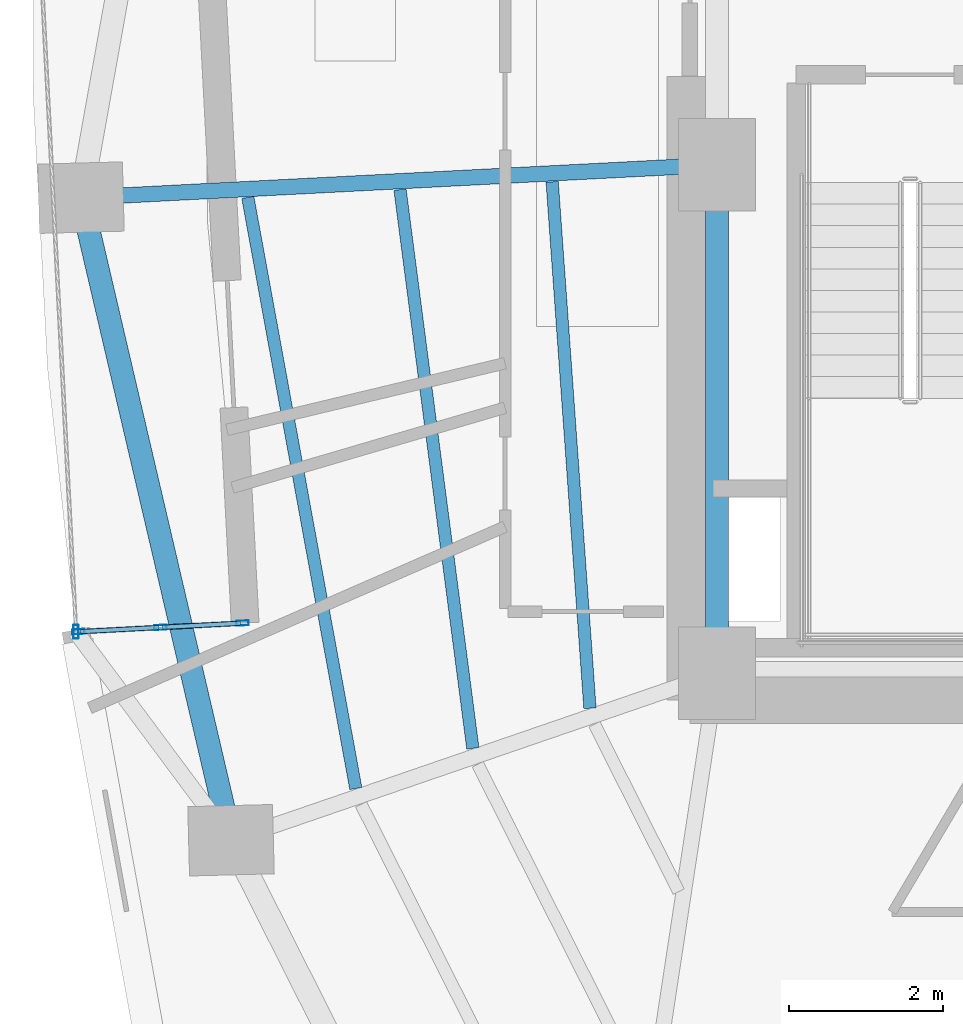
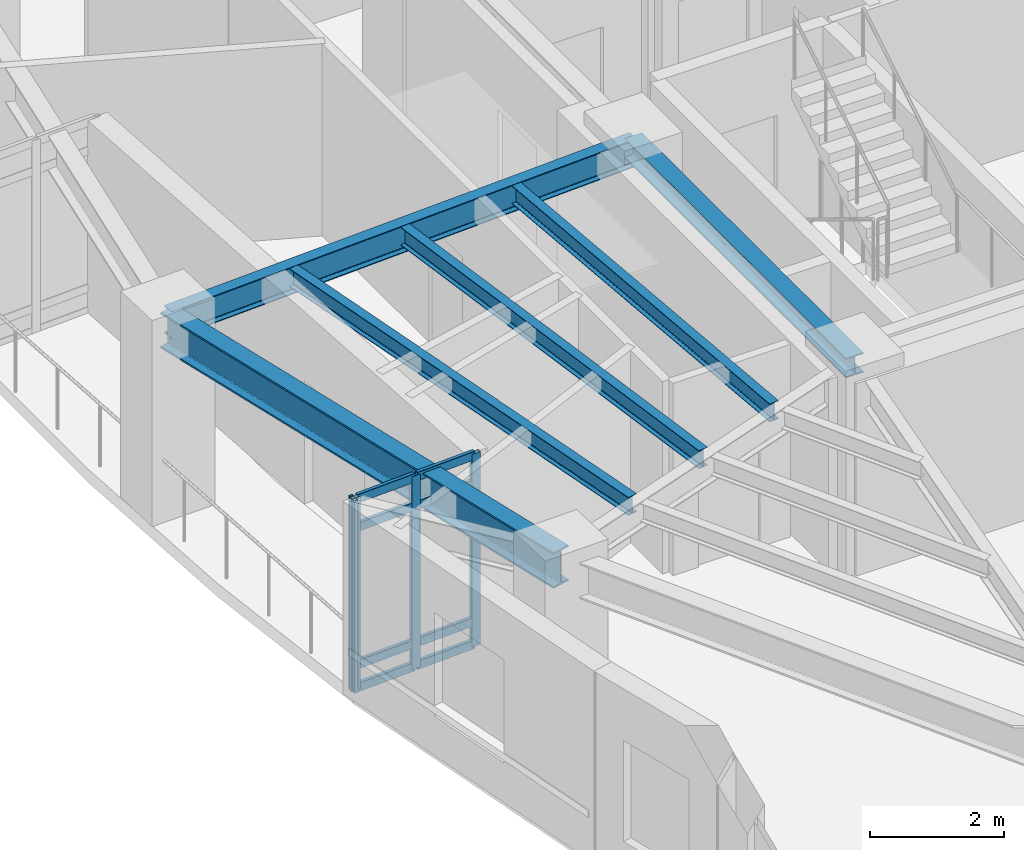
# One storey, part 2 of 12: 12 members, 6 beams, 1 element without a shape of its own.
"""IFC4 building model written with IfcOpenShell, lengths in metres."""

from ifc_helpers import new_model, si_unit, direction, frame, origin, origin_2d, place, context, subcontext, project, spatial, hollow_rectangle, i_section, extrude, material, layer, layer_set, material_profile, profile_set, type_object, element, aggregate, save


model = new_model("IFC4")

# Units and contexts
model_context = context("Model", 3, precision=1e-05, world=origin(), true_north=direction((0.0, 1.0)))
body_context = subcontext(model_context, "Body", "Model", "MODEL_VIEW")
ifc_project = project(units=[si_unit("LENGTHUNIT", "METRE"), si_unit("AREAUNIT", "SQUARE_METRE"), si_unit("VOLUMEUNIT", "CUBIC_METRE"), si_unit("PLANEANGLEUNIT", "RADIAN"), si_unit("MASSUNIT", "GRAM", prefix="KILO")], contexts=[model_context])

# Site, building, storey
site_placement = place(None, origin())
site = spatial("IfcSite", under=ifc_project, at=site_placement, CompositionType="ELEMENT")
building_placement = place(site_placement, origin())
building = spatial("IfcBuilding", under=site, at=building_placement, Name="Ndelora Gate Hotel", CompositionType="ELEMENT")
storey_placement = place(building_placement, frame((0.0, 0.0, 138.5)))
storey = spatial("IfcBuildingStorey", under=building, at=storey_placement, Name="L34", CompositionType="ELEMENT", Elevation=138.5)

# Beams
ifc_material_1 = material(Name="Steel S355", Category="steel")
ifc_material_profile_1 = material_profile(ifc_material_1, i_section(OverallWidth=0.300048828125, OverallDepth=0.360107421875, WebThickness=0.012451171875, FlangeThickness=0.0224609375, FilletRadius=0.027099609375, at=origin_2d()), Name="HEB 360")
ifc_profile_set_1 = profile_set([ifc_material_profile_1], Name="Steel S355")
beam_type_1 = type_object("IfcBeamType", Name="BM-CORE-360", PredefinedType="BEAM", material=ifc_profile_set_1)
beam_1_placement = place(storey_placement, frame((-8.0, -6.60009765625, 3.320068359375), z_axis=(0.0, 1.0, 0.0), x_axis=(-1.0, 0.0, 0.0)))
element("IfcBeam", 1, at=beam_1_placement, inside=storey, type_object=beam_type_1, Name="L34 Core Tie Girder CC1-CC8", PredefinedType="BEAM", context=body_context, shape_type="SweptSolid", body=[
    extrude(i_section(OverallWidth=0.300048828125, OverallDepth=0.360107421875, WebThickness=0.012451171875, FlangeThickness=0.0224609375, FilletRadius=0.027099609375, at=origin_2d()), origin(), (0.0, 0.0, 1.0), 6.60009765625),
])
ifc_material_profile_2 = material_profile(ifc_material_1, i_section(OverallWidth=0.159912109375, OverallDepth=0.330078125, WebThickness=0.007568359375, FlangeThickness=0.011474609375, FilletRadius=0.01806640625, at=origin_2d()), Name="IPE 330")
ifc_profile_set_2 = profile_set([ifc_material_profile_2], Name="Steel S355")
beam_type_2 = type_object("IfcBeamType", Name="BM-JST-330", PredefinedType="JOIST", material=ifc_profile_set_2)
beam_2_placement = place(storey_placement, frame((-10.138427734375, -0.220458984375, 3.3349609375), z_axis=(0.07162945927, -0.997431311201, 0.0), x_axis=(0.997431311201, 0.07162945927, 0.0)))
element("IfcBeam", 2, at=beam_2_placement, inside=storey, type_object=beam_type_2, Name="L34 Secondary Composite Floor Joist IN-3", PredefinedType="JOIST", context=body_context, shape_type="SweptSolid", body=[
    extrude(i_section(OverallWidth=0.159912109375, OverallDepth=0.330078125, WebThickness=0.007568359375, FlangeThickness=0.011474609375, FilletRadius=0.01806640625, at=origin_2d()), origin(), (0.0, 0.0, 1.0), 6.850830078125),
])
beam_3_placement = place(storey_placement, frame((-12.113525390625, -0.322021484375, 3.3349609375), z_axis=(0.12927924943, -0.991608226906, 0.0), x_axis=(0.991608226906, 0.12927924943, 0.0)))
element("IfcBeam", 3, at=beam_3_placement, inside=storey, type_object=beam_type_2, Name="L34 Secondary Composite Floor Joist MID-3", PredefinedType="JOIST", context=body_context, shape_type="SweptSolid", body=[
    extrude(i_section(OverallWidth=0.159912109375, OverallDepth=0.330078125, WebThickness=0.007568359375, FlangeThickness=0.011474609375, FilletRadius=0.01806640625, at=origin_2d()), origin(), (0.0, 0.0, 1.0), 7.31396484375),
])
beam_4_placement = place(storey_placement, frame((-14.089111328125, -0.423095703125, 3.3349609375), z_axis=(0.179733770179, -0.983715290039, 0.0), x_axis=(0.983715290039, 0.179733770179, 0.0)))
element("IfcBeam", 4, at=beam_4_placement, inside=storey, type_object=beam_type_2, Name="L34 Secondary Composite Floor Joist OUT-3", PredefinedType="JOIST", context=body_context, shape_type="SweptSolid", body=[
    extrude(i_section(OverallWidth=0.159912109375, OverallDepth=0.330078125, WebThickness=0.007568359375, FlangeThickness=0.011474609375, FilletRadius=0.01806640625, at=origin_2d()), origin(), (0.0, 0.0, 1.0), 7.799560546875),
])
ifc_material_profile_3 = material_profile(ifc_material_1, i_section(OverallWidth=0.199951171875, OverallDepth=0.5, WebThickness=0.01025390625, FlangeThickness=0.01611328125, FilletRadius=0.02099609375, at=origin_2d()), Name="IPE 500")
ifc_profile_set_3 = profile_set([ifc_material_profile_3], Name="Steel S355")
beam_type_3 = type_object("IfcBeamType", Name="BM-RAD-500", PredefinedType="BEAM", material=ifc_profile_set_3)
beam_5_placement = place(storey_placement, frame((-8.0, 0.0, 3.25), z_axis=(-0.998672591881, -0.051507807424, 0.0), x_axis=(0.051507807424, -0.998672591881, 0.0)))
element("IfcBeam", 5, at=beam_5_placement, inside=storey, type_object=beam_type_3, Name="L34 Radial Floor Girder 3", PredefinedType="BEAM", context=body_context, shape_type="SweptSolid", body=[
    extrude(i_section(OverallWidth=0.199951171875, OverallDepth=0.5, WebThickness=0.01025390625, FlangeThickness=0.01611328125, FilletRadius=0.02099609375, at=origin_2d()), origin(), (0.0, 0.0, 1.0), 8.266357421875),
])
ifc_material_profile_4 = material_profile(ifc_material_1, i_section(OverallWidth=0.300048828125, OverallDepth=0.64990234375, WebThickness=0.01611328125, FlangeThickness=0.031005859375, FilletRadius=0.027099609375, at=origin_2d()), Name="HEB 650")
ifc_profile_set_4 = profile_set([ifc_material_profile_4], Name="Steel S355")
beam_type_4 = type_object("IfcBeamType", Name="BM-RING-650", PredefinedType="SPANDREL", material=ifc_profile_set_4)
beam_6_placement = place(storey_placement, frame((-16.25537109375, -0.42578125, 3.175048828125), z_axis=(0.227404398157, -0.973800410607, 0.0), x_axis=(0.973800410607, 0.227404398157, 0.0)))
element("IfcBeam", 6, at=beam_6_placement, inside=storey, type_object=beam_type_4, Name="L34 Perimeter Spandrel Girder 3", PredefinedType="SPANDREL", context=body_context, shape_type="SweptSolid", body=[
    extrude(i_section(OverallWidth=0.300048828125, OverallDepth=0.64990234375, WebThickness=0.01611328125, FlangeThickness=0.031005859375, FilletRadius=0.027099609375, at=origin_2d()), origin(), (0.0, 0.0, 1.0), 8.566162109375),
])

# Curtain wall, members
ifc_material_2 = material(Name="Bronze Anodised Unitised Aluminium and Low-E Glass", Category="aluminium")
ifc_layer = layer(ifc_material_2, 0.199951171875)
ifc_layer_set = layer_set([ifc_layer], Name="Bronze Anodised Unitised Aluminium and Low-E Glass")
curtain_wall_type = type_object("IfcCurtainWallType", Name="CW-SYS-3", PredefinedType="NOTDEFINED", material=ifc_layer_set)
curtain_wall_placement = place(storey_placement, origin())
curtain_wall = element("IfcCurtainWall", 7, at=curtain_wall_placement, inside=storey, type_object=curtain_wall_type, Name="L34 Sky-Garden Loggia Side Curtain Wall CW3-2", PredefinedType="NOTDEFINED")
ifc_material_3 = material(Name="Bronze Anodised Aluminium 6063-T6", Category="aluminium")
ifc_material_profile_5 = material_profile(ifc_material_3, hollow_rectangle(XDim=0.06494140625, YDim=0.159912109375, WallThickness=0.00390625, InnerFilletRadius=0.00390625, OuterFilletRadius=0.008056640625, at=origin_2d()), Name="ALU 160x65x4")
ifc_profile_set_5 = profile_set([ifc_material_profile_5], Name="Bronze Anodised Aluminium 6063-T6")
member_type_1 = type_object("IfcMemberType", Name="MB-CW-MUL150", PredefinedType="MULLION", material=ifc_profile_set_5)
member_1_placement = place(storey_placement, frame((-16.288330078125, -6.060791015625, -0.00390625), z_axis=(0.0, 0.0, 1.0), x_axis=(-0.052363203389, 0.998628106419, 0.0)))
member_1 = element("IfcMember", 8, at=member_1_placement, type_object=member_type_1, Name="CW3 mullion 1", PredefinedType="MULLION", context=body_context, shape_type="SweptSolid", body=[
    extrude(hollow_rectangle(XDim=0.06494140625, YDim=0.159912109375, WallThickness=0.00390625, InnerFilletRadius=0.00390625, OuterFilletRadius=0.008056640625, at=origin_2d()), origin(), (0.0, 0.0, 1.0), 3.5078125),
])
member_2_placement = place(storey_placement, frame((-15.22216796875, -6.0048828125, -0.00390625), z_axis=(0.0, 0.0, 1.0), x_axis=(-0.052363203389, 0.998628106419, 0.0)))
member_2 = element("IfcMember", 9, at=member_2_placement, type_object=member_type_1, Name="CW3 mullion 2", PredefinedType="MULLION", context=body_context, shape_type="SweptSolid", body=[
    extrude(hollow_rectangle(XDim=0.06494140625, YDim=0.159912109375, WallThickness=0.00390625, InnerFilletRadius=0.00390625, OuterFilletRadius=0.008056640625, at=origin_2d()), origin(), (0.0, 0.0, 1.0), 3.5078125),
])
member_3_placement = place(storey_placement, frame((-14.15625, -5.948974609375, -0.00390625), z_axis=(0.0, 0.0, 1.0), x_axis=(-0.052363203389, 0.998628106419, 0.0)))
member_3 = element("IfcMember", 10, at=member_3_placement, type_object=member_type_1, Name="CW3 mullion 3", PredefinedType="MULLION", context=body_context, shape_type="SweptSolid", body=[
    extrude(hollow_rectangle(XDim=0.06494140625, YDim=0.159912109375, WallThickness=0.00390625, InnerFilletRadius=0.00390625, OuterFilletRadius=0.008056640625, at=origin_2d()), origin(), (0.0, 0.0, 1.0), 3.5078125),
])
ifc_material_profile_6 = material_profile(ifc_material_3, hollow_rectangle(XDim=0.070068359375, YDim=0.179931640625, WallThickness=0.0048828125, InnerFilletRadius=0.0048828125, OuterFilletRadius=0.010009765625, at=origin_2d()), Name="ALU 180x70x5")
ifc_profile_set_6 = profile_set([ifc_material_profile_6], Name="Bronze Anodised Aluminium 6063-T6")
member_type_2 = type_object("IfcMemberType", Name="MB-CW-MUL180", PredefinedType="MULLION", material=ifc_profile_set_6)
member_4_placement = place(storey_placement, frame((-16.32080078125, -6.0625, 0.0), z_axis=(0.0, 0.0, 1.0), x_axis=(1.0, 0.0, 0.0)))
member_4 = element("IfcMember", 11, at=member_4_placement, type_object=member_type_2, Name="L34 Sky-Garden Loggia Corner Mullion Post 2", PredefinedType="MULLION", context=body_context, shape_type="SweptSolid", body=[
    extrude(hollow_rectangle(XDim=0.070068359375, YDim=0.179931640625, WallThickness=0.0048828125, InnerFilletRadius=0.0048828125, OuterFilletRadius=0.010009765625, at=origin_2d()), origin(), (0.0, 0.0, 1.0), 3.5),
])
ifc_material_profile_7 = material_profile(ifc_material_3, hollow_rectangle(XDim=0.06494140625, YDim=0.159912109375, WallThickness=0.00390625, InnerFilletRadius=0.00390625, OuterFilletRadius=0.008056640625, at=origin_2d()), Name="ALU 160x65x4")
ifc_profile_set_7 = profile_set([ifc_material_profile_7], Name="Bronze Anodised Aluminium 6063-T6")
member_type_3 = type_object("IfcMemberType", Name="MB-CW-TRN150", PredefinedType="USERDEFINED", material=ifc_profile_set_7)
member_5_placement = place(storey_placement, frame((-16.26171875, -6.059326171875, 0.032470703125), z_axis=(0.998635062654, 0.052230370835, 0.0), x_axis=(-0.052230370835, 0.998635062654, 0.0)))
member_5 = element("IfcMember", 12, at=member_5_placement, type_object=member_type_3, Name="CW3 transom 1.1", ObjectType="TRANSOM", PredefinedType="USERDEFINED", context=body_context, shape_type="SweptSolid", body=[
    extrude(hollow_rectangle(XDim=0.06494140625, YDim=0.159912109375, WallThickness=0.00390625, InnerFilletRadius=0.00390625, OuterFilletRadius=0.008056640625, at=origin_2d()), origin(), (0.0, 0.0, 1.0), 1.014404296875),
])
member_6_placement = place(storey_placement, frame((-16.26171875, -6.059326171875, 0.449951171875), z_axis=(0.998635062654, 0.052230370835, 0.0), x_axis=(-0.052230370835, 0.998635062654, 0.0)))
member_6 = element("IfcMember", 13, at=member_6_placement, type_object=member_type_3, Name="CW3 transom 1.2", ObjectType="TRANSOM", PredefinedType="USERDEFINED", context=body_context, shape_type="SweptSolid", body=[
    extrude(hollow_rectangle(XDim=0.06494140625, YDim=0.159912109375, WallThickness=0.00390625, InnerFilletRadius=0.00390625, OuterFilletRadius=0.008056640625, at=origin_2d()), origin(), (0.0, 0.0, 1.0), 1.014404296875),
])
member_7_placement = place(storey_placement, frame((-16.26171875, -6.059326171875, 2.949951171875), z_axis=(0.998635062654, 0.052230370835, 0.0), x_axis=(-0.052230370835, 0.998635062654, 0.0)))
member_7 = element("IfcMember", 14, at=member_7_placement, type_object=member_type_3, Name="CW3 transom 1.3", ObjectType="TRANSOM", PredefinedType="USERDEFINED", context=body_context, shape_type="SweptSolid", body=[
    extrude(hollow_rectangle(XDim=0.06494140625, YDim=0.159912109375, WallThickness=0.00390625, InnerFilletRadius=0.00390625, OuterFilletRadius=0.008056640625, at=origin_2d()), origin(), (0.0, 0.0, 1.0), 1.014404296875),
])
member_8_placement = place(storey_placement, frame((-16.26171875, -6.059326171875, 3.467529296875), z_axis=(0.998635062654, 0.052230370835, 0.0), x_axis=(-0.052230370835, 0.998635062654, 0.0)))
member_8 = element("IfcMember", 15, at=member_8_placement, type_object=member_type_3, Name="CW3 transom 1.4", ObjectType="TRANSOM", PredefinedType="USERDEFINED", context=body_context, shape_type="SweptSolid", body=[
    extrude(hollow_rectangle(XDim=0.06494140625, YDim=0.159912109375, WallThickness=0.00390625, InnerFilletRadius=0.00390625, OuterFilletRadius=0.008056640625, at=origin_2d()), origin(), (0.0, 0.0, 1.0), 1.014404296875),
])
member_9_placement = place(storey_placement, frame((-15.19580078125, -6.00341796875, 0.032470703125), z_axis=(0.998635719031, 0.052217819525, 0.0), x_axis=(-0.052217819525, 0.998635719031, 0.0)))
member_9 = element("IfcMember", 16, at=member_9_placement, type_object=member_type_3, Name="CW3 transom 2.1", ObjectType="TRANSOM", PredefinedType="USERDEFINED", context=body_context, shape_type="SweptSolid", body=[
    extrude(hollow_rectangle(XDim=0.06494140625, YDim=0.159912109375, WallThickness=0.00390625, InnerFilletRadius=0.00390625, OuterFilletRadius=0.008056640625, at=origin_2d()), origin(), (0.0, 0.0, 1.0), 1.0146484375),
])
member_10_placement = place(storey_placement, frame((-15.19580078125, -6.00341796875, 0.449951171875), z_axis=(0.998635719031, 0.052217819525, 0.0), x_axis=(-0.052217819525, 0.998635719031, 0.0)))
member_10 = element("IfcMember", 17, at=member_10_placement, type_object=member_type_3, Name="CW3 transom 2.2", ObjectType="TRANSOM", PredefinedType="USERDEFINED", context=body_context, shape_type="SweptSolid", body=[
    extrude(hollow_rectangle(XDim=0.06494140625, YDim=0.159912109375, WallThickness=0.00390625, InnerFilletRadius=0.00390625, OuterFilletRadius=0.008056640625, at=origin_2d()), origin(), (0.0, 0.0, 1.0), 1.0146484375),
])
member_11_placement = place(storey_placement, frame((-15.19580078125, -6.00341796875, 2.949951171875), z_axis=(0.998635719031, 0.052217819525, 0.0), x_axis=(-0.052217819525, 0.998635719031, 0.0)))
member_11 = element("IfcMember", 18, at=member_11_placement, type_object=member_type_3, Name="CW3 transom 2.3", ObjectType="TRANSOM", PredefinedType="USERDEFINED", context=body_context, shape_type="SweptSolid", body=[
    extrude(hollow_rectangle(XDim=0.06494140625, YDim=0.159912109375, WallThickness=0.00390625, InnerFilletRadius=0.00390625, OuterFilletRadius=0.008056640625, at=origin_2d()), origin(), (0.0, 0.0, 1.0), 1.0146484375),
])
member_12_placement = place(storey_placement, frame((-15.19580078125, -6.00341796875, 3.467529296875), z_axis=(0.998635719031, 0.052217819525, 0.0), x_axis=(-0.052217819525, 0.998635719031, 0.0)))
member_12 = element("IfcMember", 19, at=member_12_placement, type_object=member_type_3, Name="CW3 transom 2.4", ObjectType="TRANSOM", PredefinedType="USERDEFINED", context=body_context, shape_type="SweptSolid", body=[
    extrude(hollow_rectangle(XDim=0.06494140625, YDim=0.159912109375, WallThickness=0.00390625, InnerFilletRadius=0.00390625, OuterFilletRadius=0.008056640625, at=origin_2d()), origin(), (0.0, 0.0, 1.0), 1.0146484375),
])
aggregate(curtain_wall, [member_1, member_2, member_3, member_5, member_6, member_7, member_8, member_9, member_10, member_11, member_12, member_4])

save(model, "model.ifc")
